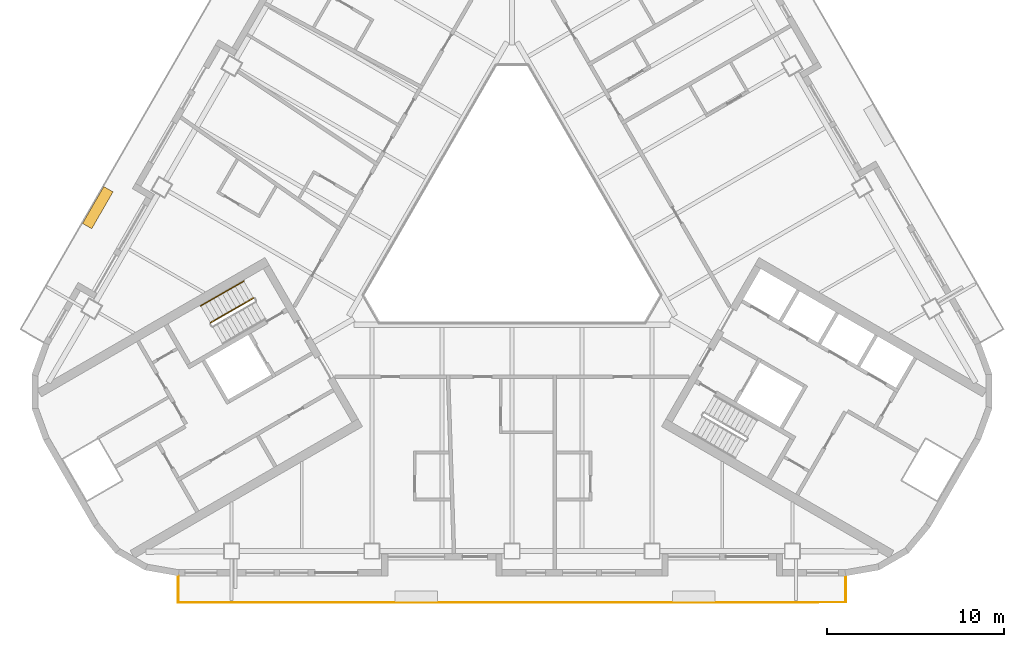
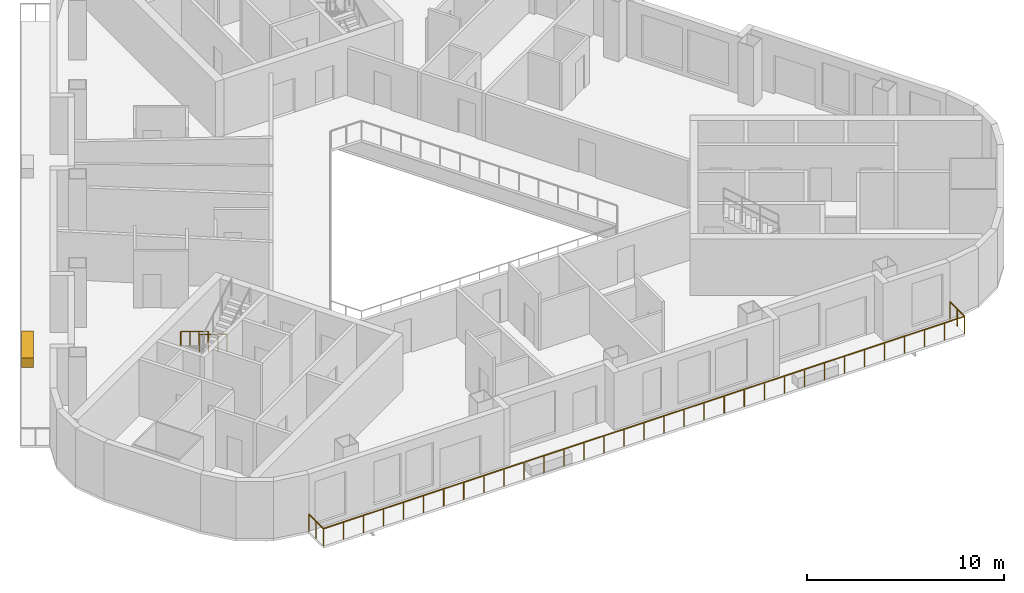
# One storey, part 9 of 13: 3 railings, 1 covering.
"""IFC4 building model written with IfcOpenShell, lengths in metres."""

from ifc_helpers import new_model, si_unit, direction, frame, origin, origin_2d, place, context, subcontext, project, spatial, rectangle, circle, extrude, material, type_object, element, save


model = new_model("IFC4")

# Units and contexts
model_context = context("Model", 3, precision=1e-05, world=origin(), true_north=direction((0.0, 1.0)))
body_context = subcontext(model_context, "Body", "Model", "MODEL_VIEW")
ifc_project = project(units=[si_unit("LENGTHUNIT", "METRE"), si_unit("AREAUNIT", "SQUARE_METRE"), si_unit("VOLUMEUNIT", "CUBIC_METRE"), si_unit("PLANEANGLEUNIT", "RADIAN"), si_unit("MASSUNIT", "GRAM", prefix="KILO")], contexts=[model_context])

# Site, building, storey
site_placement = place(None, origin())
site = spatial("IfcSite", under=ifc_project, at=site_placement, CompositionType="ELEMENT")
building_placement = place(site_placement, origin())
building = spatial("IfcBuilding", under=site, at=building_placement, Name="Apuvela Tower Hotel", CompositionType="ELEMENT")
storey_placement = place(building_placement, frame((0.0, 0.0, 94.60009765625)))
storey = spatial("IfcBuildingStorey", under=building, at=storey_placement, Name="L21", CompositionType="ELEMENT", Elevation=94.60009765625)

# Railings
ifc_material_1 = material(Name="Steel S275 balustrade", Category="steel")
railing_type_1 = type_object("IfcRailingType", Name="COR-GUARD-1100", PredefinedType="GUARDRAIL", material=ifc_material_1)
railing_1_placement = place(storey_placement, frame((-14.569091796875, -3.9658203125, 0.16796875)))
element("IfcRailing", 1, at=railing_1_placement, inside=storey, type_object=railing_type_1, Name="L21 ST2 stair guard 1", PredefinedType="GUARDRAIL", context=body_context, shape_type="SweptSolid", body=[
    extrude(rectangle(XDim=0.048095703125, YDim=0.048095703125, at=origin_2d()), frame((0.0, 0.0, 1.076171875), z_axis=(-0.742390482028, -0.42860119049, 0.514934356695), x_axis=(0.49998411664, -0.866034573852, 0.0)), (0.0, 0.0, 1.0), 3.26611328125),
    extrude(rectangle(XDim=0.0419921875, YDim=0.0419921875, at=origin_2d()), origin(), (0.0, 0.0, 1.0), 1.052001953125),
    extrude(rectangle(XDim=0.0419921875, YDim=0.0419921875, at=origin_2d()), frame((-0.808349609375, -0.466552734375, 0.560546875)), (0.0, 0.0, 1.0), 1.052001953125),
    extrude(rectangle(XDim=0.0419921875, YDim=0.0419921875, at=origin_2d()), frame((-1.616455078125, -0.933349609375, 1.121337890625)), (0.0, 0.0, 1.0), 1.052001953125),
    extrude(rectangle(XDim=0.0419921875, YDim=0.0419921875, at=origin_2d()), frame((-2.4248046875, -1.39990234375, 1.681884765625)), (0.0, 0.0, 1.0), 1.052001953125),
])
ifc_material_2 = material(Name="Stainless steel 316 handrail", Category="steel")
railing_type_2 = type_object("IfcRailingType", Name="COR-HANDRAIL-900", PredefinedType="HANDRAIL", material=ifc_material_2)
railing_2_placement = place(storey_placement, frame((-15.118896484375, -3.01318359375, 0.16796875)))
element("IfcRailing", 2, at=railing_2_placement, inside=storey, type_object=railing_type_2, Name="L21 ST2 stair handrail 1", PredefinedType="HANDRAIL", context=body_context, shape_type="SweptSolid", body=[
    extrude(circle(Radius=0.02392578125, at=origin_2d()), frame((0.0, 0.0, 0.8759765625), z_axis=(-0.742424030051, -0.428577407461, 0.514905783049), x_axis=(0.49994636267, -0.866056369097, 0.0)), (0.0, 0.0, 1.0), 3.266357421875),
    extrude(rectangle(XDim=0.0419921875, YDim=0.0419921875, at=origin_2d()), origin(), (0.0, 0.0, 1.0), 0.851806640625),
    extrude(rectangle(XDim=0.0419921875, YDim=0.0419921875, at=origin_2d()), frame((-0.808349609375, -0.466552734375, 0.560546875)), (0.0, 0.0, 1.0), 0.851806640625),
    extrude(rectangle(XDim=0.0419921875, YDim=0.0419921875, at=origin_2d()), frame((-1.61669921875, -0.933349609375, 1.121337890625)), (0.0, 0.0, 1.0), 0.851806640625),
    extrude(rectangle(XDim=0.0419921875, YDim=0.0419921875, at=origin_2d()), frame((-2.425048828125, -1.39990234375, 1.681884765625)), (0.0, 0.0, 1.0), 0.851806640625),
])
ifc_material_3 = material(Name="Stainless steel 316 rail with laminated glass infill", Category="steel")
railing_type_3 = type_object("IfcRailingType", Name="ENV-GUARD-1100", PredefinedType="GUARDRAIL", material=ifc_material_3)
railing_3_placement = place(storey_placement, frame((-18.81591796875, -19.6298828125, 0.0)))
element("IfcRailing", 3, at=railing_3_placement, inside=storey, type_object=railing_type_3, Name="Balcony guard S L21", PredefinedType="GUARDRAIL", context=body_context, shape_type="SweptSolid", body=[
    extrude(rectangle(XDim=0.050048828125, YDim=0.050048828125, at=origin_2d()), frame((0.0, 0.0, 1.0751953125), z_axis=(0.0, -1.0, 0.0), x_axis=(1.0, 0.0, 0.0)), (0.0, 0.0, 1.0), 1.5),
    extrude(rectangle(XDim=0.050048828125, YDim=0.050048828125, at=origin_2d()), frame((0.0, -1.5, 1.0751953125), z_axis=(1.0, 0.0, 0.0), x_axis=(0.0, 1.0, 0.0)), (0.0, 0.0, 1.0), 37.6318359375),
    extrude(rectangle(XDim=0.050048828125, YDim=0.050048828125, at=origin_2d()), frame((37.6318359375, -1.5, 1.0751953125), z_axis=(0.0, 1.0, 0.0), x_axis=(-1.0, 0.0, 0.0)), (0.0, 0.0, 1.0), 1.5),
    extrude(rectangle(XDim=0.0400390625, YDim=0.0400390625, at=origin_2d()), origin(), (0.0, 0.0, 1.0), 1.050048828125),
    extrude(rectangle(XDim=0.0400390625, YDim=0.0400390625, at=origin_2d()), frame((0.0, -0.75, 0.0)), (0.0, 0.0, 1.0), 1.050048828125),
    extrude(rectangle(XDim=0.0400390625, YDim=0.0400390625, at=origin_2d()), frame((0.0, -1.5, 0.0)), (0.0, 0.0, 1.0), 1.050048828125),
    extrude(rectangle(XDim=0.0400390625, YDim=0.0400390625, at=origin_2d()), frame((1.176025390625, -1.5, 0.0)), (0.0, 0.0, 1.0), 1.050048828125),
    extrude(rectangle(XDim=0.0400390625, YDim=0.0400390625, at=origin_2d()), frame((2.35205078125, -1.5, 0.0)), (0.0, 0.0, 1.0), 1.050048828125),
    extrude(rectangle(XDim=0.0400390625, YDim=0.0400390625, at=origin_2d()), frame((3.528076171875, -1.5, 0.0)), (0.0, 0.0, 1.0), 1.050048828125),
    extrude(rectangle(XDim=0.0400390625, YDim=0.0400390625, at=origin_2d()), frame((4.7041015625, -1.5, 0.0)), (0.0, 0.0, 1.0), 1.050048828125),
    extrude(rectangle(XDim=0.0400390625, YDim=0.0400390625, at=origin_2d()), frame((5.8798828125, -1.5, 0.0)), (0.0, 0.0, 1.0), 1.050048828125),
    extrude(rectangle(XDim=0.0400390625, YDim=0.0400390625, at=origin_2d()), frame((7.055908203125, -1.5, 0.0)), (0.0, 0.0, 1.0), 1.050048828125),
    extrude(rectangle(XDim=0.0400390625, YDim=0.0400390625, at=origin_2d()), frame((8.23193359375, -1.5, 0.0)), (0.0, 0.0, 1.0), 1.050048828125),
    extrude(rectangle(XDim=0.0400390625, YDim=0.0400390625, at=origin_2d()), frame((9.407958984375, -1.5, 0.0)), (0.0, 0.0, 1.0), 1.050048828125),
    extrude(rectangle(XDim=0.0400390625, YDim=0.0400390625, at=origin_2d()), frame((10.583984375, -1.5, 0.0)), (0.0, 0.0, 1.0), 1.050048828125),
    extrude(rectangle(XDim=0.0400390625, YDim=0.0400390625, at=origin_2d()), frame((11.760009765625, -1.5, 0.0)), (0.0, 0.0, 1.0), 1.050048828125),
    extrude(rectangle(XDim=0.0400390625, YDim=0.0400390625, at=origin_2d()), frame((12.93603515625, -1.5, 0.0)), (0.0, 0.0, 1.0), 1.050048828125),
    extrude(rectangle(XDim=0.0400390625, YDim=0.0400390625, at=origin_2d()), frame((14.11181640625, -1.5, 0.0)), (0.0, 0.0, 1.0), 1.050048828125),
    extrude(rectangle(XDim=0.0400390625, YDim=0.0400390625, at=origin_2d()), frame((15.287841796875, -1.5, 0.0)), (0.0, 0.0, 1.0), 1.050048828125),
    extrude(rectangle(XDim=0.0400390625, YDim=0.0400390625, at=origin_2d()), frame((16.4638671875, -1.5, 0.0)), (0.0, 0.0, 1.0), 1.050048828125),
    extrude(rectangle(XDim=0.0400390625, YDim=0.0400390625, at=origin_2d()), frame((17.639892578125, -1.5, 0.0)), (0.0, 0.0, 1.0), 1.050048828125),
    extrude(rectangle(XDim=0.0400390625, YDim=0.0400390625, at=origin_2d()), frame((18.81591796875, -1.5, 0.0)), (0.0, 0.0, 1.0), 1.050048828125),
    extrude(rectangle(XDim=0.0400390625, YDim=0.0400390625, at=origin_2d()), frame((19.991943359375, -1.5, 0.0)), (0.0, 0.0, 1.0), 1.050048828125),
    extrude(rectangle(XDim=0.0400390625, YDim=0.0400390625, at=origin_2d()), frame((21.16796875, -1.5, 0.0)), (0.0, 0.0, 1.0), 1.050048828125),
    extrude(rectangle(XDim=0.0400390625, YDim=0.0400390625, at=origin_2d()), frame((22.343994140625, -1.5, 0.0)), (0.0, 0.0, 1.0), 1.050048828125),
    extrude(rectangle(XDim=0.0400390625, YDim=0.0400390625, at=origin_2d()), frame((23.52001953125, -1.5, 0.0)), (0.0, 0.0, 1.0), 1.050048828125),
    extrude(rectangle(XDim=0.0400390625, YDim=0.0400390625, at=origin_2d()), frame((24.69580078125, -1.5, 0.0)), (0.0, 0.0, 1.0), 1.050048828125),
    extrude(rectangle(XDim=0.0400390625, YDim=0.0400390625, at=origin_2d()), frame((25.871826171875, -1.5, 0.0)), (0.0, 0.0, 1.0), 1.050048828125),
    extrude(rectangle(XDim=0.0400390625, YDim=0.0400390625, at=origin_2d()), frame((27.0478515625, -1.5, 0.0)), (0.0, 0.0, 1.0), 1.050048828125),
    extrude(rectangle(XDim=0.0400390625, YDim=0.0400390625, at=origin_2d()), frame((28.223876953125, -1.5, 0.0)), (0.0, 0.0, 1.0), 1.050048828125),
    extrude(rectangle(XDim=0.0400390625, YDim=0.0400390625, at=origin_2d()), frame((29.39990234375, -1.5, 0.0)), (0.0, 0.0, 1.0), 1.050048828125),
    extrude(rectangle(XDim=0.0400390625, YDim=0.0400390625, at=origin_2d()), frame((30.575927734375, -1.5, 0.0)), (0.0, 0.0, 1.0), 1.050048828125),
    extrude(rectangle(XDim=0.0400390625, YDim=0.0400390625, at=origin_2d()), frame((31.751953125, -1.5, 0.0)), (0.0, 0.0, 1.0), 1.050048828125),
    extrude(rectangle(XDim=0.0400390625, YDim=0.0400390625, at=origin_2d()), frame((32.927734375, -1.5, 0.0)), (0.0, 0.0, 1.0), 1.050048828125),
    extrude(rectangle(XDim=0.0400390625, YDim=0.0400390625, at=origin_2d()), frame((34.103759765625, -1.5, 0.0)), (0.0, 0.0, 1.0), 1.050048828125),
    extrude(rectangle(XDim=0.0400390625, YDim=0.0400390625, at=origin_2d()), frame((35.27978515625, -1.5, 0.0)), (0.0, 0.0, 1.0), 1.050048828125),
    extrude(rectangle(XDim=0.0400390625, YDim=0.0400390625, at=origin_2d()), frame((36.455810546875, -1.5, 0.0)), (0.0, 0.0, 1.0), 1.050048828125),
    extrude(rectangle(XDim=0.0400390625, YDim=0.0400390625, at=origin_2d()), frame((37.6318359375, -1.5, 0.0)), (0.0, 0.0, 1.0), 1.050048828125),
    extrude(rectangle(XDim=0.0400390625, YDim=0.0400390625, at=origin_2d()), frame((37.6318359375, -0.75, 0.0)), (0.0, 0.0, 1.0), 1.050048828125),
    extrude(rectangle(XDim=0.0400390625, YDim=0.0400390625, at=origin_2d()), frame((37.6318359375, 0.0, 0.0)), (0.0, 0.0, 1.0), 1.050048828125),
])

# Covering
ifc_material_4 = material(Name="Planting substrate and soil, planted")
covering_type = type_object("IfcCoveringType", Name="ENV-PLANTER-2400x600", PredefinedType="USERDEFINED", material=ifc_material_4)
covering_placement = place(storey_placement, frame((-23.345947265625, 1.12353515625, -0.000244140625), z_axis=(0.0, 0.0, 1.0), x_axis=(-0.5, -0.866025403784, 0.0)))
element("IfcCovering", 4, at=covering_placement, inside=storey, type_object=covering_type, Name="Planter NW6", ObjectType="PLANTER", PredefinedType="USERDEFINED", context=body_context, shape_type="SweptSolid", body=[
    extrude(rectangle(XDim=2.39990234375, YDim=0.60009765625, at=origin_2d()), origin(), (0.0, 0.0, 1.0), 0.60009765625),
])

save(model, "model.ifc")
